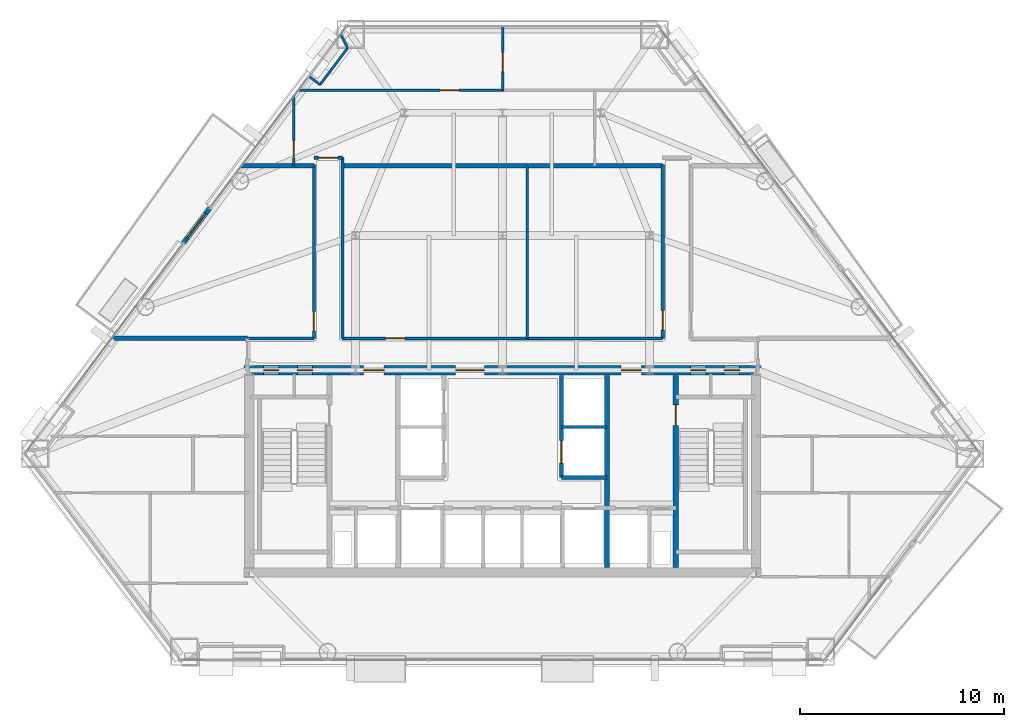
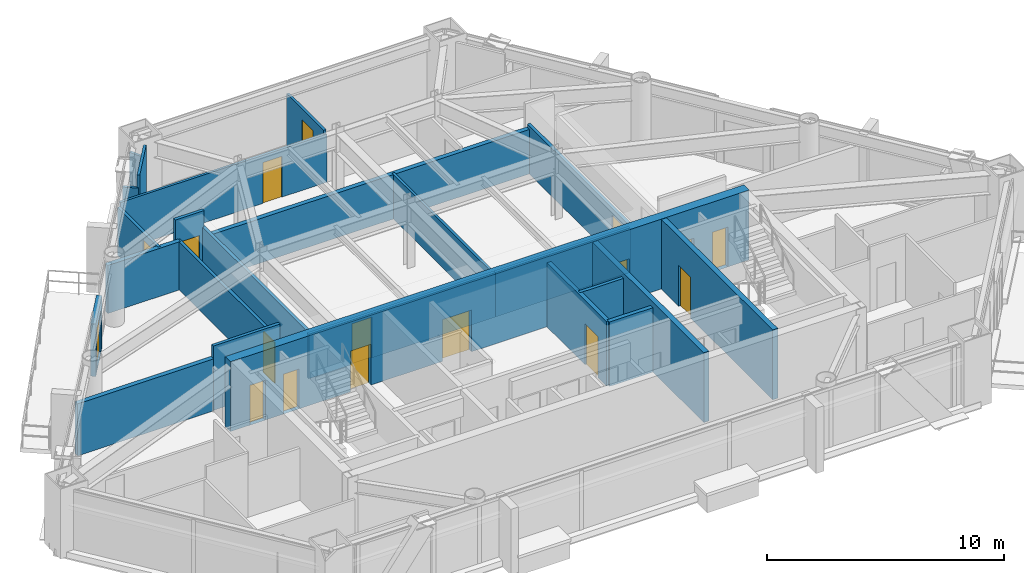
# One storey, part 10 of 14: 24 walls, 17 doors, 17 openings.
"""IFC4 building model written with IfcOpenShell, lengths in metres."""

import ifcopenshell
import ifcopenshell.guid

model = None  # the IFC model being written
_history = None  # IfcOwnerHistory: only IFC2X3 demands one
_inside = {}  # id of a spatial element -> (the spatial element, [elements in it])
_under = {}  # id of a project, library or spatial element -> (it, [spatial elements below it])
_declared = {}  # id of a project -> (the project, [libraries it declares])
_typed = {}  # id of a type object -> (the type object, [elements of that type])
_made_of = {}  # id of a material, layer set ... -> (it, [elements and type objects made of it])


def new_model(schema):
    """Start an empty IFC model of exactly this schema.

    Asked for "IFC4X3", IfcOpenShell would pick the latest addendum, in which some entities
    have other attributes; the version numbers below select the first issue.
    IFC2X3 requires an IfcOwnerHistory on every rooted entity: one is made here for all.
    """
    global model, _history
    if schema == "IFC4X3":
        model = ifcopenshell.file(schema_version=(4, 3, 0, 0))
    else:
        model = ifcopenshell.file(schema=schema)
    _inside.clear()
    _under.clear()
    _declared.clear()
    _typed.clear()
    _made_of.clear()
    _history = None
    if model.schema == "IFC2X3":
        org = make("IfcOrganization", Name="unknown")
        user = make(
            "IfcPersonAndOrganization",
            ThePerson=make("IfcPerson", FamilyName="unknown"),
            TheOrganization=org,
        )
        app = make(
            "IfcApplication",
            ApplicationDeveloper=org,
            Version="unknown",
            ApplicationFullName="unknown",
            ApplicationIdentifier="unknown",
        )
        _history = make(
            "IfcOwnerHistory",
            OwningUser=user,
            OwningApplication=app,
            ChangeAction="ADDED",
            CreationDate=0,
        )
    return model


def make(cls, **values):
    """One entity of the class cls with the attributes given. An attribute that is None is left unset."""
    return model.create_entity(
        cls, **{name: value for name, value in values.items() if value is not None}
    )


def rooted(cls, **values):
    """An entity with a GlobalId (a new one), such as an element, a storey or a relation."""
    return make(cls, GlobalId=ifcopenshell.guid.new(), OwnerHistory=_history, **values)


def si_unit(unit_type, name, prefix=None):
    """IfcSIUnit, for example si_unit("LENGTHUNIT", "METRE", prefix="MILLI")."""
    return make("IfcSIUnit", UnitType=unit_type, Prefix=prefix, Name=name)


def assignment(units):
    """IfcUnitAssignment: the units of a project."""
    return None if units is None else make("IfcUnitAssignment", Units=units)


def point(xyz):
    """IfcCartesianPoint."""
    return None if xyz is None else make("IfcCartesianPoint", Coordinates=xyz)


def direction(xyz):
    """IfcDirection."""
    return None if xyz is None else make("IfcDirection", DirectionRatios=xyz)


def frame(location, z_axis=None, x_axis=None):
    """IfcAxis2Placement3D, a coordinate frame: its origin and axes. An axis left out is left unset."""
    return make(
        "IfcAxis2Placement3D",
        Location=point(location),
        Axis=direction(z_axis),
        RefDirection=direction(x_axis),
    )


def frame_2d(location, x_axis=None):
    """IfcAxis2Placement2D, a coordinate frame in the plane: its origin and x axis."""
    return make(
        "IfcAxis2Placement2D", Location=point(location), RefDirection=direction(x_axis)
    )


def origin():
    """The frame at (0, 0, 0) with its axes left unset."""
    return frame((0.0, 0.0, 0.0))


def place(relative_to, where):
    """IfcLocalPlacement: puts the frame where relative to a parent placement (None: the world)."""
    return make(
        "IfcLocalPlacement", PlacementRelTo=relative_to, RelativePlacement=where
    )


def context(
    kind, dimensions, precision=None, world=None, true_north=None, identifier=None
):
    """IfcGeometricRepresentationContext, for example the 3D "Model" context."""
    return make(
        "IfcGeometricRepresentationContext",
        ContextIdentifier=identifier,
        ContextType=kind,
        CoordinateSpaceDimension=dimensions,
        Precision=precision,
        WorldCoordinateSystem=world,
        TrueNorth=true_north,
    )


def subcontext(parent, identifier, kind, view, scale=None):
    """IfcGeometricRepresentationSubContext, for example "Body" below "Model"."""
    return make(
        "IfcGeometricRepresentationSubContext",
        ContextIdentifier=identifier,
        ContextType=kind,
        ParentContext=parent,
        TargetScale=scale,
        TargetView=view,
    )


def project(units=None, contexts=None):
    """IfcProject with its units and contexts."""
    return rooted(
        "IfcProject",
        Name="project",
        RepresentationContexts=contexts,
        UnitsInContext=assignment(units),
    )


def spatial(cls, under=None, at=None, **own):
    """A site, building, storey or space (cls), placed at a placement, below another one or the project."""
    s = rooted(cls, ObjectPlacement=at, **own)
    if under is not None:
        _under.setdefault(under.id(), (under, []))[1].append(s)
    return s


def profile(cls, at=None, kind="AREA", **sizes):
    """A parametric profile (cls). Its sizes go by their IFC names, for example OverallWidth=200.0."""
    return make(cls, ProfileType=kind, Position=at, **sizes)


def rectangle(**sizes):
    """IfcRectangleProfileDef."""
    return profile("IfcRectangleProfileDef", **sizes)


def extrude(swept, where, along, depth):
    """IfcExtrudedAreaSolid: the profile swept, set in the frame where, extruded along a direction by depth."""
    return make(
        "IfcExtrudedAreaSolid",
        SweptArea=swept,
        Position=where,
        ExtrudedDirection=direction(along),
        Depth=depth,
    )


def shape(context_of_items, identifier, shape_type, items):
    """IfcShapeRepresentation: the items that make up one representation, for example the "Body"."""
    return make(
        "IfcShapeRepresentation",
        ContextOfItems=context_of_items,
        RepresentationIdentifier=identifier,
        RepresentationType=shape_type,
        Items=items,
    )


def material(Name=None, Category=None):
    """IfcMaterial."""
    return make("IfcMaterial", Name=Name, Category=Category)


def layer(
    of_material, thickness, ventilated=None, Name=None, Category=None, Priority=None
):
    """IfcMaterialLayer: one layer of a wall or slab, of a material (None: an air gap)."""
    return make(
        "IfcMaterialLayer",
        Material=of_material,
        LayerThickness=thickness,
        IsVentilated=ventilated,
        Name=Name,
        Category=Category,
        Priority=Priority,
    )


def layer_set(layers, Name=None):
    """IfcMaterialLayerSet."""
    return make("IfcMaterialLayerSet", MaterialLayers=layers, LayerSetName=Name)


def made_of(thing, what):
    """Note that an element or type object is made of a material, layer set ...; save() writes the relation."""
    if what is not None:
        _made_of.setdefault(what.id(), (what, []))[1].append(thing)
    return thing


def type_object(cls, material=None, **own):
    """A type object (cls), such as IfcWallType, which elements share."""
    return made_of(rooted(cls, **own), material)


def element(
    cls,
    number,
    at=None,
    inside=None,
    cuts=None,
    type_object=None,
    material=None,
    context=None,
    identifier="Body",
    shape_type=None,
    held_by="IfcProductDefinitionShape",
    body=None,
    shapes=None,
    **own,
):
    """One element of the class cls, such as IfcWall. Its Tag is "e" and its number.

    at: its placement. inside: the storey or other place that contains it. cuts: it is an
    opening in that element (IfcRelVoidsElement). A single representation is given by context,
    identifier, shape_type and body (its items); several are given by shapes. held_by: the class
    of the entity that holds the representations. save() writes the other relations.
    """
    e = rooted(cls, Tag="e%d" % number, ObjectPlacement=at, **own)
    if body is not None:
        shapes = [shape(context, identifier, shape_type, body)]
    if shapes is not None:
        e.Representation = make(held_by, Representations=shapes)
    if inside is not None:
        _inside.setdefault(inside.id(), (inside, []))[1].append(e)
    if cuts is not None:
        rooted(
            "IfcRelVoidsElement", RelatingBuildingElement=cuts, RelatedOpeningElement=e
        )
    if type_object is not None:
        _typed.setdefault(type_object.id(), (type_object, []))[1].append(e)
    return made_of(e, material)


def fill(opening, filler):
    """IfcRelFillsElement: the door or window that sits in an opening."""
    return rooted(
        "IfcRelFillsElement",
        RelatingOpeningElement=opening,
        RelatedBuildingElement=filler,
    )


def aggregate(whole, parts):
    """IfcRelAggregates: a whole, such as a stair, and the parts it consists of."""
    return rooted("IfcRelAggregates", RelatingObject=whole, RelatedObjects=parts)


def save(model, path):
    """Write the relations noted so far, then the file.

    IfcRelAggregates (storeys below a building ...), IfcRelContainedInSpatialStructure (elements
    in a storey), IfcRelDefinesByType, IfcRelAssociatesMaterial and IfcRelDeclares: one each for
    every whole, place, type object, material and project.
    """
    for whole, parts in _under.values():
        aggregate(whole, parts)
    for where, things in _inside.values():
        rooted(
            "IfcRelContainedInSpatialStructure",
            RelatedElements=things,
            RelatingStructure=where,
        )
    for kind, things in _typed.values():
        rooted("IfcRelDefinesByType", RelatedObjects=things, RelatingType=kind)
    for what, things in _made_of.values():
        rooted("IfcRelAssociatesMaterial", RelatedObjects=things, RelatingMaterial=what)
    for by, libraries in _declared.values():
        rooted("IfcRelDeclares", RelatingContext=by, RelatedDefinitions=libraries)
    model.write(path)


model = new_model("IFC4")

# Units and contexts
model_context = context("Model", 3, precision=1e-05, world=origin(), true_north=direction((0.0, 1.0)))
body_context = subcontext(model_context, "Body", "Model", "MODEL_VIEW")
ifc_project = project(units=[si_unit("LENGTHUNIT", "METRE"), si_unit("AREAUNIT", "SQUARE_METRE"), si_unit("VOLUMEUNIT", "CUBIC_METRE"), si_unit("PLANEANGLEUNIT", "RADIAN"), si_unit("MASSUNIT", "GRAM", prefix="KILO")], contexts=[model_context])

# Site, building, storey
site_placement = place(None, origin())
site = spatial("IfcSite", under=ifc_project, at=site_placement, CompositionType="ELEMENT")
building_placement = place(site_placement, origin())
building = spatial("IfcBuilding", under=site, at=building_placement, Name="Talgorran Terracotta Tower", CompositionType="ELEMENT")
storey_placement = place(building_placement, frame((0.0, 0.0, 56.699951171875)))
storey = spatial("IfcBuildingStorey", under=building, at=storey_placement, Name="L14", CompositionType="ELEMENT", Elevation=56.699951171875)

# Wall, opening, door
ifc_material_1 = material(Name="Concrete C40/50", Category="concrete")
ifc_layer_1 = layer(ifc_material_1, 0.239990234375, Name="WT_BALCONY_SPAND")
ifc_layer_set_1 = layer_set([ifc_layer_1], Name="Concrete C40/50")
wall_type_1 = type_object("IfcWallType", Name="WT_BALCONY_SPAND", PredefinedType="STANDARD", material=ifc_layer_set_1)
wall_1_placement = place(storey_placement, frame((-14.339111328125, 3.73095703125, -0.014892578125), z_axis=(0.0, 0.0, 1.0), x_axis=(-0.601441023505, -0.798917201746, 0.0)))
wall_1 = element("IfcWall", 1, at=wall_1_placement, inside=storey, type_object=wall_type_1, Name="WL-L14-BALP-BAL-NW", PredefinedType="STANDARD", context=body_context, shape_type="SweptSolid", body=[
    extrude(rectangle(XDim=2.14013671875, YDim=0.239990234375, at=frame_2d((1.070068359375, 0.0))), origin(), (0.0, 0.0, 1.0), 2.6982421875),
])
opening_1_placement = place(wall_1_placement, frame((0.320068359375, 0.0, 0.014892578125)))
opening_1 = element("IfcOpeningElement", 2, at=opening_1_placement, cuts=wall_1, Name="Opening D-BAL-L14-2", PredefinedType="OPENING", context=body_context, shape_type="SweptSolid", body=[
    extrude(rectangle(XDim=1.506, YDim=2.203951171875, at=frame_2d((0.75, 1.10205078125))), frame((0.0, 0.1298828125, 0.0), z_axis=(0.0, -1.0, 0.0), x_axis=(1.0, 0.0, 0.0)), (0.0, 0.0, 1.0), 0.260009765625),
])
ifc_material_2 = material(Name="Thermally Broken Aluminium", Category="aluminium")
door_type_1 = type_object("IfcDoorType", Name="DT_BALC_1500", OperationType="SLIDING_TO_RIGHT", PredefinedType="DOOR", material=ifc_material_2)
door_1_placement = place(opening_1_placement, origin())
door_1 = element("IfcDoor", 3, at=door_1_placement, inside=storey, type_object=door_type_1, Name="DR-L14-BAL-BAL-NW", OperationType="SLIDING_TO_RIGHT", OverallHeight=2.199951171875, OverallWidth=1.5, PredefinedType="DOOR", context=body_context, shape_type="SweptSolid", body=[
    extrude(rectangle(XDim=1.5, YDim=2.199951171875, at=frame_2d((0.75, 1.10009765625))), frame((0.0, 0.02490234375, 0.0), z_axis=(0.0, -1.0, 0.0), x_axis=(1.0, 0.0, 0.0)), (0.0, 0.0, 1.0), 0.050048828125),
])
fill(opening_1, door_1)

ifc_material_3 = material(Name="Concrete C50/60", Category="concrete")
ifc_layer_2 = layer(ifc_material_3, 0.199951171875, Name="WT_CORE_200")
ifc_layer_set_2 = layer_set([ifc_layer_2], Name="Concrete C50/60")
wall_type_2 = type_object("IfcWallType", Name="WT_CORE_200", PredefinedType="SOLIDWALL", material=ifc_layer_set_2)
wall_2_placement = place(storey_placement, frame((2.8798828125, -9.449951171875, 0.0), z_axis=(0.0, 0.0, 1.0), x_axis=(0.0, 1.0, 0.0)))
wall_2 = element("IfcWall", 4, at=wall_2_placement, inside=storey, type_object=wall_type_2, Name="WL-L14-CW-V-E3", PredefinedType="SOLIDWALL", context=body_context, shape_type="SweptSolid", body=[
    extrude(rectangle(XDim=5.0, YDim=0.199951171875, at=frame_2d((2.5, 0.0))), origin(), (0.0, 0.0, 1.0), 3.320068359375),
])
opening_2_placement = place(wall_2_placement, frame((0.699951171875, 0.0, 0.0)))
opening_2 = element("IfcOpeningElement", 5, at=opening_2_placement, cuts=wall_2, Name="Opening LD-PLM1", PredefinedType="OPENING", context=body_context, shape_type="SweptSolid", body=[
    extrude(rectangle(XDim=1.10609765625, YDim=2.10409765625, at=frame_2d((0.550048828125, 1.052001953125))), frame((0.0, 0.10986328125, 0.0), z_axis=(0.0, -1.0, 0.0), x_axis=(1.0, 0.0, 0.0)), (0.0, 0.0, 1.0), 0.219970703125),
])
ifc_material_4 = material(Name="Brushed Stainless Steel Grade 304", Category="steel")
door_type_2 = type_object("IfcDoorType", Name="DT_LIFT_LD1100", OperationType="DOUBLE_DOOR_SLIDING", PredefinedType="DOOR", material=ifc_material_4)
door_2_placement = place(opening_2_placement, origin())
door_2 = element("IfcDoor", 6, at=door_2_placement, inside=storey, type_object=door_type_2, Name="L14 Lift Landing Door LD-PLM1", OperationType="DOUBLE_DOOR_SLIDING", OverallHeight=2.10009765625, OverallWidth=1.10009765625, PredefinedType="DOOR", context=body_context, shape_type="SweptSolid", body=[
    extrude(rectangle(XDim=1.10009765625, YDim=2.10009765625, at=frame_2d((0.550048828125, 1.050048828125))), frame((0.0, 0.02490234375, 0.0), z_axis=(0.0, -1.0, 0.0), x_axis=(1.0, 0.0, 0.0)), (0.0, 0.0, 1.0), 0.050048828125),
])
fill(opening_2, door_2)

# Wall
wall_3_placement = place(storey_placement, frame((2.8798828125, -9.449951171875, 0.0), z_axis=(0.0, 0.0, 1.0), x_axis=(1.0, 0.0, 0.0)))
element("IfcWall", 7, at=wall_3_placement, inside=storey, type_object=wall_type_2, Name="WL-L14-CW-H-E4", PredefinedType="SOLIDWALL", context=body_context, shape_type="SweptSolid", body=[
    extrude(rectangle(XDim=2.240234375, YDim=0.199951171875, at=frame_2d((1.1201171875, 0.0))), origin(), (0.0, 0.0, 1.0), 3.320068359375),
])

# Wall, opening, door
ifc_layer_3 = layer(ifc_material_3, 0.25, Name="WT_CORE_250")
ifc_layer_set_3 = layer_set([ifc_layer_3], Name="Concrete C50/60")
wall_type_3 = type_object("IfcWallType", Name="WT_CORE_250", PredefinedType="SHEAR", material=ifc_layer_set_3)
wall_4_placement = place(storey_placement, frame((8.47998046875, -13.85009765625, 0.0), z_axis=(0.0, 0.0, 1.0), x_axis=(0.0, 1.0, 0.0)))
wall_4 = element("IfcWall", 8, at=wall_4_placement, inside=storey, type_object=wall_type_3, Name="WL-L14-CW-V-E1", PredefinedType="SHEAR", context=body_context, shape_type="SweptSolid", body=[
    extrude(rectangle(XDim=9.400146484375, YDim=0.25, at=frame_2d((4.7001953125, 0.0))), origin(), (0.0, 0.0, 1.0), 3.60009765625),
])
opening_3_placement = place(wall_4_placement, frame((6.949951171875, 0.0, 0.0)))
opening_3 = element("IfcOpeningElement", 9, at=opening_3_placement, cuts=wall_4, Name="Opening DR-ST02", PredefinedType="OPENING", context=body_context, shape_type="SweptSolid", body=[
    extrude(rectangle(XDim=1.006, YDim=2.10409765625, at=frame_2d((0.5, 1.052001953125))), frame((0.0, 0.135009765625, 0.0), z_axis=(0.0, -1.0, 0.0), x_axis=(1.0, 0.0, 0.0)), (0.0, 0.0, 1.0), 0.27001953125),
])
ifc_material_5 = material(Name="Fire-Rated Pressed Steel", Category="steel")
door_type_3 = type_object("IfcDoorType", Name="DT_FIRE_1000", OperationType="NOTDEFINED", PredefinedType="DOOR", material=ifc_material_5)
door_3_placement = place(opening_3_placement, origin())
door_3 = element("IfcDoor", 10, at=door_3_placement, inside=storey, type_object=door_type_3, Name="DR-ST02", OperationType="SINGLE_SWING_RIGHT", OverallHeight=2.10009765625, OverallWidth=1.0, PredefinedType="DOOR", context=body_context, shape_type="SweptSolid", body=[
    extrude(rectangle(XDim=1.0, YDim=2.10009765625, at=frame_2d((0.5, 1.050048828125))), frame((0.0, 0.02490234375, 0.0), z_axis=(0.0, -1.0, 0.0), x_axis=(1.0, 0.0, 0.0)), (0.0, 0.0, 1.0), 0.050048828125),
])
fill(opening_3, door_3)

# Wall
wall_5_placement = place(storey_placement, frame((5.1201171875, -13.85009765625, 0.0), z_axis=(0.0, 0.0, 1.0), x_axis=(0.0, 1.0, 0.0)))
element("IfcWall", 11, at=wall_5_placement, inside=storey, type_object=wall_type_3, Name="WL-L14-CW-V-E2", PredefinedType="SHEAR", context=body_context, shape_type="SweptSolid", body=[
    extrude(rectangle(XDim=9.400146484375, YDim=0.25, at=frame_2d((4.7001953125, 0.0))), origin(), (0.0, 0.0, 1.0), 3.60009765625),
])

# Wall, openings, doors
ifc_material_6 = material(Name="Concrete C65/80", Category="concrete")
ifc_layer_4 = layer(ifc_material_6, 0.449951171875, Name="WT_CORE_EXT")
ifc_layer_set_4 = layer_set([ifc_layer_4], Name="Concrete C65/80")
wall_type_4 = type_object("IfcWallType", Name="WT_CORE_EXT", PredefinedType="SHEAR", material=ifc_layer_set_4)
wall_6_placement = place(storey_placement, frame((-12.64990234375, -4.199951171875, 0.0), z_axis=(0.0, 0.0, 1.0), x_axis=(1.0, 0.0, 0.0)))
wall_6 = element("IfcWall", 12, at=wall_6_placement, inside=storey, type_object=wall_type_4, Name="WL-L14-CW-OUT-N", PredefinedType="SHEAR", context=body_context, shape_type="SweptSolid", body=[
    extrude(rectangle(XDim=25.2998046875, YDim=0.449951171875, at=frame_2d((12.64990234375, 0.0))), origin(), (0.0, 0.0, 1.0), 3.60009765625),
])
opening_4_placement = place(wall_6_placement, frame((0.949951171875, 0.0, 0.0)))
opening_4 = element("IfcOpeningElement", 13, at=opening_4_placement, cuts=wall_6, Name="Opening DR-CSN1", PredefinedType="OPENING", context=body_context, shape_type="SweptSolid", body=[
    extrude(rectangle(XDim=0.756, YDim=2.054048828125, at=frame_2d((0.375, 1.027099609375))), frame((0.0, 0.23486328125, 0.0), z_axis=(0.0, -1.0, 0.0), x_axis=(1.0, 0.0, 0.0)), (0.0, 0.0, 1.0), 0.469970703125),
])
opening_5_placement = place(wall_6_placement, frame((2.60009765625, 0.0, 0.0)))
opening_5 = element("IfcOpeningElement", 14, at=opening_5_placement, cuts=wall_6, Name="Opening DR-CSN2", PredefinedType="OPENING", context=body_context, shape_type="SweptSolid", body=[
    extrude(rectangle(XDim=0.756, YDim=2.054048828125, at=frame_2d((0.375, 1.027099609375))), frame((0.0, 0.23486328125, 0.0), z_axis=(0.0, -1.0, 0.0), x_axis=(1.0, 0.0, 0.0)), (0.0, 0.0, 1.0), 0.469970703125),
])
opening_6_placement = place(wall_6_placement, frame((21.85009765625, 0.0, 0.0)))
opening_6 = element("IfcOpeningElement", 15, at=opening_6_placement, cuts=wall_6, Name="Opening DR-CSN3", PredefinedType="OPENING", context=body_context, shape_type="SweptSolid", body=[
    extrude(rectangle(XDim=0.756, YDim=2.054048828125, at=frame_2d((0.375, 1.027099609375))), frame((0.0, 0.23486328125, 0.0), z_axis=(0.0, -1.0, 0.0), x_axis=(1.0, 0.0, 0.0)), (0.0, 0.0, 1.0), 0.469970703125),
])
opening_7_placement = place(wall_6_placement, frame((23.5, 0.0, 0.0)))
opening_7 = element("IfcOpeningElement", 16, at=opening_7_placement, cuts=wall_6, Name="Opening DR-CSN4", PredefinedType="OPENING", context=body_context, shape_type="SweptSolid", body=[
    extrude(rectangle(XDim=0.756, YDim=2.054048828125, at=frame_2d((0.375, 1.027099609375))), frame((0.0, 0.23486328125, 0.0), z_axis=(0.0, -1.0, 0.0), x_axis=(1.0, 0.0, 0.0)), (0.0, 0.0, 1.0), 0.469970703125),
])
opening_8_placement = place(wall_6_placement, frame((5.85009765625, 0.0, 0.0)))
opening_8 = element("IfcOpeningElement", 17, at=opening_8_placement, cuts=wall_6, Name="Opening DR-FFLW-N", PredefinedType="OPENING", context=body_context, shape_type="SweptSolid", body=[
    extrude(rectangle(XDim=1.006, YDim=2.10409765625, at=frame_2d((0.5, 1.052001953125))), frame((0.0, 0.23486328125, 0.0), z_axis=(0.0, -1.0, 0.0), x_axis=(1.0, 0.0, 0.0)), (0.0, 0.0, 1.0), 0.469970703125),
])
opening_9_placement = place(wall_6_placement, frame((10.35009765625, 0.0, 0.0)))
opening_9 = element("IfcOpeningElement", 18, at=opening_9_placement, cuts=wall_6, Name="Opening DR-PLL-N", PredefinedType="OPENING", context=body_context, shape_type="SweptSolid", body=[
    extrude(rectangle(XDim=1.40590234375, YDim=2.15390234375, at=frame_2d((0.699951171875, 1.076904296875))), frame((0.0, 0.23486328125, 0.0), z_axis=(0.0, -1.0, 0.0), x_axis=(1.0, 0.0, 0.0)), (0.0, 0.0, 1.0), 0.469970703125),
])
opening_10_placement = place(wall_6_placement, frame((18.449951171875, 0.0, 0.0)))
opening_10 = element("IfcOpeningElement", 19, at=opening_10_placement, cuts=wall_6, Name="Opening DR-FFLE-N", PredefinedType="OPENING", context=body_context, shape_type="SweptSolid", body=[
    extrude(rectangle(XDim=1.006, YDim=2.10409765625, at=frame_2d((0.5, 1.052001953125))), frame((0.0, 0.23486328125, 0.0), z_axis=(0.0, -1.0, 0.0), x_axis=(1.0, 0.0, 0.0)), (0.0, 0.0, 1.0), 0.469970703125),
])
ifc_material_7 = material(Name="Acoustic Glazed Timber", Category="wood")
door_type_4 = type_object("IfcDoorType", Name="DT_DOUBLE_1400", OperationType="DOUBLE_DOOR_SINGLE_SWING", PredefinedType="DOOR", material=ifc_material_7)
door_4_placement = place(opening_9_placement, origin())
door_4 = element("IfcDoor", 20, at=door_4_placement, inside=storey, type_object=door_type_4, Name="DR-PLL-N", OperationType="DOUBLE_DOOR_SINGLE_SWING", OverallHeight=2.14990234375, OverallWidth=1.39990234375, PredefinedType="DOOR", context=body_context, shape_type="SweptSolid", body=[
    extrude(rectangle(XDim=1.39990234375, YDim=2.14990234375, at=frame_2d((0.699951171875, 1.074951171875))), frame((0.0, 0.02490234375, 0.0), z_axis=(0.0, -1.0, 0.0), x_axis=(1.0, 0.0, 0.0)), (0.0, 0.0, 1.0), 0.050048828125),
])
fill(opening_9, door_4)
door_5_placement = place(opening_8_placement, origin())
door_5 = element("IfcDoor", 21, at=door_5_placement, inside=storey, type_object=door_type_3, Name="DR-FFLW-N", OperationType="SINGLE_SWING_LEFT", OverallHeight=2.10009765625, OverallWidth=1.0, PredefinedType="DOOR", context=body_context, shape_type="SweptSolid", body=[
    extrude(rectangle(XDim=1.0, YDim=2.10009765625, at=frame_2d((0.5, 1.050048828125))), frame((0.0, 0.02490234375, 0.0), z_axis=(0.0, -1.0, 0.0), x_axis=(1.0, 0.0, 0.0)), (0.0, 0.0, 1.0), 0.050048828125),
])
fill(opening_8, door_5)
door_6_placement = place(opening_10_placement, origin())
door_6 = element("IfcDoor", 22, at=door_6_placement, inside=storey, type_object=door_type_3, Name="DR-FFLE-N", OperationType="SINGLE_SWING_RIGHT", OverallHeight=2.10009765625, OverallWidth=1.0, PredefinedType="DOOR", context=body_context, shape_type="SweptSolid", body=[
    extrude(rectangle(XDim=1.0, YDim=2.10009765625, at=frame_2d((0.5, 1.050048828125))), frame((0.0, 0.02490234375, 0.0), z_axis=(0.0, -1.0, 0.0), x_axis=(1.0, 0.0, 0.0)), (0.0, 0.0, 1.0), 0.050048828125),
])
fill(opening_10, door_6)
door_type_5 = type_object("IfcDoorType", Name="DT_RISER_750", OperationType="NOTDEFINED", PredefinedType="DOOR", material=ifc_material_5)
door_7_placement = place(opening_4_placement, origin())
door_7 = element("IfcDoor", 23, at=door_7_placement, inside=storey, type_object=door_type_5, Name="DR-CSN1", OperationType="SINGLE_SWING_LEFT", OverallHeight=2.050048828125, OverallWidth=0.75, PredefinedType="DOOR", context=body_context, shape_type="SweptSolid", body=[
    extrude(rectangle(XDim=0.75, YDim=2.050048828125, at=frame_2d((0.375, 1.02490234375))), frame((0.0, 0.02490234375, 0.0), z_axis=(0.0, -1.0, 0.0), x_axis=(1.0, 0.0, 0.0)), (0.0, 0.0, 1.0), 0.050048828125),
])
fill(opening_4, door_7)
door_8_placement = place(opening_5_placement, origin())
door_8 = element("IfcDoor", 24, at=door_8_placement, inside=storey, type_object=door_type_5, Name="DR-CSN2", OperationType="SINGLE_SWING_RIGHT", OverallHeight=2.050048828125, OverallWidth=0.75, PredefinedType="DOOR", context=body_context, shape_type="SweptSolid", body=[
    extrude(rectangle(XDim=0.75, YDim=2.050048828125, at=frame_2d((0.375, 1.02490234375))), frame((0.0, 0.02490234375, 0.0), z_axis=(0.0, -1.0, 0.0), x_axis=(1.0, 0.0, 0.0)), (0.0, 0.0, 1.0), 0.050048828125),
])
fill(opening_5, door_8)
door_9_placement = place(opening_6_placement, origin())
door_9 = element("IfcDoor", 25, at=door_9_placement, inside=storey, type_object=door_type_5, Name="DR-CSN3", OperationType="SINGLE_SWING_LEFT", OverallHeight=2.050048828125, OverallWidth=0.75, PredefinedType="DOOR", context=body_context, shape_type="SweptSolid", body=[
    extrude(rectangle(XDim=0.75, YDim=2.050048828125, at=frame_2d((0.375, 1.02490234375))), frame((0.0, 0.02490234375, 0.0), z_axis=(0.0, -1.0, 0.0), x_axis=(1.0, 0.0, 0.0)), (0.0, 0.0, 1.0), 0.050048828125),
])
fill(opening_6, door_9)
door_10_placement = place(opening_7_placement, origin())
door_10 = element("IfcDoor", 26, at=door_10_placement, inside=storey, type_object=door_type_5, Name="DR-CSN4", OperationType="SINGLE_SWING_RIGHT", OverallHeight=2.050048828125, OverallWidth=0.75, PredefinedType="DOOR", context=body_context, shape_type="SweptSolid", body=[
    extrude(rectangle(XDim=0.75, YDim=2.050048828125, at=frame_2d((0.375, 1.02490234375))), frame((0.0, 0.02490234375, 0.0), z_axis=(0.0, -1.0, 0.0), x_axis=(1.0, 0.0, 0.0)), (0.0, 0.0, 1.0), 0.050048828125),
])
fill(opening_7, door_10)

# Wall, opening, door
ifc_material_8 = material(Name="Fire-Rated Steel Stud Plasterboard", Category="steel")
ifc_layer_5 = layer(ifc_material_8, 0.14990234375, Name="WT_FIRE_150")
ifc_layer_set_5 = layer_set([ifc_layer_5], Name="Fire-Rated Steel Stud Plasterboard")
wall_type_5 = type_object("IfcWallType", Name="WT_FIRE_150", PredefinedType="PARTITIONING", material=ifc_layer_set_5)
wall_7_placement = place(storey_placement, frame((-7.840087890625, -2.639892578125, 0.0), z_axis=(0.0, 0.0, 1.0), x_axis=(1.0, 0.0, 0.0)))
wall_7 = element("IfcWall", 27, at=wall_7_placement, inside=storey, type_object=wall_type_5, Name="WL-L14-W-L14-R06", PredefinedType="PARTITIONING", context=body_context, shape_type="SweptSolid", body=[
    extrude(rectangle(XDim=9.10009765625, YDim=0.14990234375, at=frame_2d((4.550048828125, 0.0))), origin(), (0.0, 0.0, 1.0), 2.295166015625),
])
opening_11_placement = place(wall_7_placement, frame((2.117431640625, 0.0, 0.0)))
opening_11 = element("IfcOpeningElement", 28, at=opening_11_placement, cuts=wall_7, Name="Opening DR-L14-R13", PredefinedType="OPENING", context=body_context, shape_type="SweptSolid", body=[
    extrude(rectangle(XDim=0.955951171875, YDim=2.10409765625, at=frame_2d((0.47509765625, 1.052001953125))), frame((0.0, 0.0849609375, 0.0), z_axis=(0.0, -1.0, 0.0), x_axis=(1.0, 0.0, 0.0)), (0.0, 0.0, 1.0), 0.169921875),
])
ifc_material_9 = material(Name="Fire-Rated Timber Core", Category="wood")
door_type_6 = type_object("IfcDoorType", Name="DT_FIRE_950", OperationType="NOTDEFINED", PredefinedType="DOOR", material=ifc_material_9)
door_11_placement = place(opening_11_placement, origin())
door_11 = element("IfcDoor", 29, at=door_11_placement, inside=storey, type_object=door_type_6, Name="DR-L14-R13", OperationType="SINGLE_SWING_LEFT", OverallHeight=2.10009765625, OverallWidth=0.949951171875, PredefinedType="DOOR", context=body_context, shape_type="SweptSolid", body=[
    extrude(rectangle(XDim=0.949951171875, YDim=2.10009765625, at=frame_2d((0.47509765625, 1.050048828125))), frame((0.0, 0.02490234375, 0.0), z_axis=(0.0, -1.0, 0.0), x_axis=(1.0, 0.0, 0.0)), (0.0, 0.0, 1.0), 0.050048828125),
])
fill(opening_11, door_11)

wall_8_placement = place(storey_placement, frame((-9.239990234375, -2.639892578125, 0.0), z_axis=(0.0, 0.0, 1.0), x_axis=(0.0, 1.0, 0.0)))
wall_8 = element("IfcWall", 30, at=wall_8_placement, inside=storey, type_object=wall_type_5, Name="WL-L14-W-L14-R04", PredefinedType="PARTITIONING", context=body_context, shape_type="SweptSolid", body=[
    extrude(rectangle(XDim=8.5, YDim=0.14990234375, at=frame_2d((4.25, 0.0))), origin(), (0.0, 0.0, 1.0), 2.47900390625),
])
opening_12_placement = place(wall_8_placement, frame((0.359619140625, 0.0, 0.0)))
opening_12 = element("IfcOpeningElement", 31, at=opening_12_placement, cuts=wall_8, Name="Opening DR-L14-R12", PredefinedType="OPENING", context=body_context, shape_type="SweptSolid", body=[
    extrude(rectangle(XDim=0.955951171875, YDim=2.10409765625, at=frame_2d((0.47509765625, 1.052001953125))), frame((0.0, 0.0849609375, 0.0), z_axis=(0.0, -1.0, 0.0), x_axis=(1.0, 0.0, 0.0)), (0.0, 0.0, 1.0), 0.169921875),
])
door_12_placement = place(opening_12_placement, origin())
door_12 = element("IfcDoor", 32, at=door_12_placement, inside=storey, type_object=door_type_6, Name="DR-L14-R12", OperationType="SINGLE_SWING_RIGHT", OverallHeight=2.10009765625, OverallWidth=0.949951171875, PredefinedType="DOOR", context=body_context, shape_type="SweptSolid", body=[
    extrude(rectangle(XDim=0.949951171875, YDim=2.10009765625, at=frame_2d((0.47509765625, 1.050048828125))), frame((0.0, 0.02490234375, 0.0), z_axis=(0.0, -1.0, 0.0), x_axis=(1.0, 0.0, 0.0)), (0.0, 0.0, 1.0), 0.050048828125),
])
fill(opening_12, door_12)

# Wall
wall_9_placement = place(storey_placement, frame((-7.840087890625, -2.639892578125, 0.0), z_axis=(0.0, 0.0, 1.0), x_axis=(0.0, 1.0, 0.0)))
element("IfcWall", 33, at=wall_9_placement, inside=storey, type_object=wall_type_5, Name="WL-L14-W-L14-R05", PredefinedType="PARTITIONING", context=body_context, shape_type="SweptSolid", body=[
    extrude(rectangle(XDim=8.83984375, YDim=0.14990234375, at=frame_2d((4.419921875, 0.0))), origin(), (0.0, 0.0, 1.0), 2.47900390625),
])

# Wall, opening, door
wall_10_placement = place(storey_placement, frame((7.840087890625, -2.639892578125, 0.0), z_axis=(0.0, 0.0, 1.0), x_axis=(0.0, 1.0, 0.0)))
wall_10 = element("IfcWall", 34, at=wall_10_placement, inside=storey, type_object=wall_type_5, Name="WL-L14-W-L14-R08", PredefinedType="PARTITIONING", context=body_context, shape_type="SweptSolid", body=[
    extrude(rectangle(XDim=8.5, YDim=0.14990234375, at=frame_2d((4.25, 0.0))), origin(), (0.0, 0.0, 1.0), 2.47900390625),
])
opening_13_placement = place(wall_10_placement, frame((0.399658203125, 0.0, 0.0)))
opening_13 = element("IfcOpeningElement", 35, at=opening_13_placement, cuts=wall_10, Name="Opening DR-L14-R14", PredefinedType="OPENING", context=body_context, shape_type="SweptSolid", body=[
    extrude(rectangle(XDim=0.955951171875, YDim=2.10409765625, at=frame_2d((0.47509765625, 1.052001953125))), frame((0.0, 0.0849609375, 0.0), z_axis=(0.0, -1.0, 0.0), x_axis=(1.0, 0.0, 0.0)), (0.0, 0.0, 1.0), 0.169921875),
])
door_13_placement = place(opening_13_placement, origin())
door_13 = element("IfcDoor", 36, at=door_13_placement, inside=storey, type_object=door_type_6, Name="DR-L14-R14", OperationType="SINGLE_SWING_RIGHT", OverallHeight=2.10009765625, OverallWidth=0.949951171875, PredefinedType="DOOR", context=body_context, shape_type="SweptSolid", body=[
    extrude(rectangle(XDim=0.949951171875, YDim=2.10009765625, at=frame_2d((0.47509765625, 1.050048828125))), frame((0.0, 0.02490234375, 0.0), z_axis=(0.0, -1.0, 0.0), x_axis=(1.0, 0.0, 0.0)), (0.0, 0.0, 1.0), 0.050048828125),
])
fill(opening_13, door_13)

# Walls
wall_11_placement = place(storey_placement, frame((1.261962890625, -2.639892578125, 0.0), z_axis=(0.0, 0.0, 1.0), x_axis=(1.0, 0.0, 0.0)))
element("IfcWall", 37, at=wall_11_placement, inside=storey, type_object=wall_type_5, Name="WL-L14-W-L14-R07", PredefinedType="PARTITIONING", context=body_context, shape_type="SweptSolid", body=[
    extrude(rectangle(XDim=6.578125, YDim=0.14990234375, at=frame_2d((3.2890625, 0.0))), origin(), (0.0, 0.0, 1.0), 2.295166015625),
])
wall_12_placement = place(storey_placement, frame((-12.5, -2.639892578125, 0.0), z_axis=(0.0, 0.0, 1.0), x_axis=(1.0, 0.0, 0.0)))
element("IfcWall", 38, at=wall_12_placement, inside=storey, type_object=wall_type_5, Name="WL-L14-W-L14-R03", PredefinedType="PARTITIONING", context=body_context, shape_type="SweptSolid", body=[
    extrude(rectangle(XDim=3.260009765625, YDim=0.14990234375, at=frame_2d((1.6298828125, 0.0))), origin(), (0.0, 0.0, 1.0), 3.320068359375),
])

# Wall, opening, door
wall_13_placement = place(storey_placement, frame((-9.239990234375, 6.199951171875, 0.0), z_axis=(0.0, 0.0, 1.0), x_axis=(1.0, 0.0, 0.0)))
wall_13 = element("IfcWall", 39, at=wall_13_placement, inside=storey, type_object=wall_type_5, Name="WL-L14-W-L14-R12", PredefinedType="PARTITIONING", context=body_context, shape_type="SweptSolid", body=[
    extrude(rectangle(XDim=1.39990234375, YDim=0.14990234375, at=frame_2d((0.699951171875, 0.0))), origin(), (0.0, 0.0, 1.0), 3.320068359375),
])
opening_14_placement = place(wall_13_placement, frame((0.22509765625, 0.0, 0.0)))
opening_14 = element("IfcOpeningElement", 40, at=opening_14_placement, cuts=wall_13, Name="Opening DR-L14-R17", PredefinedType="OPENING", context=body_context, shape_type="SweptSolid", body=[
    extrude(rectangle(XDim=0.955951171875, YDim=2.10409765625, at=frame_2d((0.47509765625, 1.052001953125))), frame((0.0, 0.0849609375, 0.0), z_axis=(0.0, -1.0, 0.0), x_axis=(1.0, 0.0, 0.0)), (0.0, 0.0, 1.0), 0.169921875),
])
door_14_placement = place(opening_14_placement, origin())
door_14 = element("IfcDoor", 41, at=door_14_placement, inside=storey, type_object=door_type_6, Name="DR-L14-R17", OperationType="SINGLE_SWING_LEFT", OverallHeight=2.10009765625, OverallWidth=0.949951171875, PredefinedType="DOOR", context=body_context, shape_type="SweptSolid", body=[
    extrude(rectangle(XDim=0.949951171875, YDim=2.10009765625, at=frame_2d((0.47509765625, 1.050048828125))), frame((0.0, 0.02490234375, 0.0), z_axis=(0.0, -1.0, 0.0), x_axis=(1.0, 0.0, 0.0)), (0.0, 0.0, 1.0), 0.050048828125),
])
fill(opening_14, door_14)

# Walls
ifc_material_10 = material(Name="Acoustic Masonry and Plasterboard", Category="masonry")
ifc_layer_6 = layer(ifc_material_10, 0.219970703125, Name="WT_PARTY_220")
ifc_layer_set_6 = layer_set([ifc_layer_6], Name="Acoustic Masonry and Plasterboard")
wall_type_6 = type_object("IfcWallType", Name="WT_PARTY_220", PredefinedType="PARTITIONING", material=ifc_layer_set_6)
wall_14_placement = place(storey_placement, frame((-7.840087890625, 5.800048828125, 0.0), z_axis=(0.0, 0.0, 1.0), x_axis=(1.0, 0.0, 0.0)))
element("IfcWall", 42, at=wall_14_placement, inside=storey, type_object=wall_type_6, Name="WL-L14-W-L14-R41", PredefinedType="PARTITIONING", context=body_context, shape_type="SweptSolid", body=[
    extrude(rectangle(XDim=15.68017578125, YDim=0.219970703125, at=frame_2d((7.840087890625, 0.0))), origin(), (0.0, 0.0, 1.0), 2.295166015625),
])
wall_15_placement = place(storey_placement, frame((-19.13525390625, -2.639892578125, 0.0), z_axis=(0.0, 0.0, 1.0), x_axis=(1.0, 0.0, 0.0)))
element("IfcWall", 43, at=wall_15_placement, inside=storey, type_object=wall_type_6, Name="WL-L14-W-L14-R19", PredefinedType="PARTITIONING", context=body_context, shape_type="SweptSolid", body=[
    extrude(rectangle(XDim=6.63525390625, YDim=0.219970703125, at=frame_2d((3.317626953125, 0.0))), origin(), (0.0, 0.0, 1.0), 2.683349609375),
])
wall_16_placement = place(storey_placement, frame((-12.781494140625, 5.800048828125, 0.0), z_axis=(0.0, 0.0, 1.0), x_axis=(1.0, 0.0, 0.0)))
element("IfcWall", 44, at=wall_16_placement, inside=storey, type_object=wall_type_6, Name="WL-L14-W-L14-R38", PredefinedType="PARTITIONING", context=body_context, shape_type="SweptSolid", body=[
    extrude(rectangle(XDim=3.54150390625, YDim=0.219970703125, at=frame_2d((1.770751953125, 0.0))), origin(), (0.0, 0.0, 1.0), 2.47900390625),
])

# Wall, opening, door
ifc_material_11 = material(Name="Insulated Steel Stud Plasterboard", Category="steel")
ifc_layer_7 = layer(ifc_material_11, 0.1201171875, Name="WT_PART_120")
ifc_layer_set_7 = layer_set([ifc_layer_7], Name="Insulated Steel Stud Plasterboard")
wall_type_7 = type_object("IfcWallType", Name="WT_PART_120", PredefinedType="PARTITIONING", material=ifc_layer_set_7)
wall_17_placement = place(storey_placement, frame((-9.99609375, 9.5, 0.0), z_axis=(0.0, 0.0, 1.0), x_axis=(1.0, 0.0, 0.0)))
wall_17 = element("IfcWall", 45, at=wall_17_placement, inside=storey, type_object=wall_type_7, Name="WL-L14-W-L14-R46", PredefinedType="PARTITIONING", context=body_context, shape_type="SweptSolid", body=[
    extrude(rectangle(XDim=10.05615234375, YDim=0.1201171875, at=frame_2d((5.028076171875, 0.0))), origin(), (0.0, 0.0, 1.0), 2.47900390625),
])
opening_15_placement = place(wall_17_placement, frame((6.93701171875, 0.0, 0.0)))
opening_15 = element("IfcOpeningElement", 46, at=opening_15_placement, cuts=wall_17, Name="Opening DR-L14-R18", PredefinedType="OPENING", context=body_context, shape_type="SweptSolid", body=[
    extrude(rectangle(XDim=0.925921875, YDim=2.10409765625, at=frame_2d((0.4599609375, 1.052001953125))), frame((0.0, 0.070068359375, 0.0), z_axis=(0.0, -1.0, 0.0), x_axis=(1.0, 0.0, 0.0)), (0.0, 0.0, 1.0), 0.14013671875),
])
ifc_material_12 = material(Name="Solid-Core Painted Timber", Category="wood")
door_type_7 = type_object("IfcDoorType", Name="DT_INT_920", OperationType="NOTDEFINED", PredefinedType="DOOR", material=ifc_material_12)
door_15_placement = place(opening_15_placement, origin())
door_15 = element("IfcDoor", 47, at=door_15_placement, inside=storey, type_object=door_type_7, Name="DR-L14-R18", OperationType="SINGLE_SWING_RIGHT", OverallHeight=2.10009765625, OverallWidth=0.919921875, PredefinedType="DOOR", context=body_context, shape_type="SweptSolid", body=[
    extrude(rectangle(XDim=0.919921875, YDim=2.10009765625, at=frame_2d((0.4599609375, 1.050048828125))), frame((0.0, 0.02490234375, 0.0), z_axis=(0.0, -1.0, 0.0), x_axis=(1.0, 0.0, 0.0)), (0.0, 0.0, 1.0), 0.050048828125),
])
fill(opening_15, door_15)

# Wall
wall_18_placement = place(storey_placement, frame((1.199951171875, -2.639892578125, 0.0), z_axis=(0.0, 0.0, 1.0), x_axis=(0.0, 1.0, 0.0)))
element("IfcWall", 48, at=wall_18_placement, inside=storey, type_object=wall_type_7, Name="WL-L14-W-L14-R40", PredefinedType="PARTITIONING", context=body_context, shape_type="SweptSolid", body=[
    extrude(rectangle(XDim=8.43994140625, YDim=0.1201171875, at=frame_2d((4.219970703125, 0.0))), origin(), (0.0, 0.0, 1.0), 2.295166015625),
])

# Wall, opening, door
wall_19_placement = place(storey_placement, frame((0.0, 9.5, 0.0), z_axis=(0.0, 0.0, 1.0), x_axis=(0.0, 1.0, 0.0)))
wall_19 = element("IfcWall", 49, at=wall_19_placement, inside=storey, type_object=wall_type_7, Name="WL-L14-W-L14-R49", PredefinedType="PARTITIONING", context=body_context, shape_type="SweptSolid", body=[
    extrude(rectangle(XDim=3.13330078125, YDim=0.1201171875, at=frame_2d((1.566650390625, 0.0))), origin(), (0.0, 0.0, 1.0), 2.683349609375),
])
opening_16_placement = place(wall_19_placement, frame((0.917236328125, 0.0, 0.0)))
opening_16 = element("IfcOpeningElement", 50, at=opening_16_placement, cuts=wall_19, Name="Opening DR-L14-R19", PredefinedType="OPENING", context=body_context, shape_type="SweptSolid", body=[
    extrude(rectangle(XDim=0.925921875, YDim=2.10409765625, at=frame_2d((0.4599609375, 1.052001953125))), frame((0.0, 0.070068359375, 0.0), z_axis=(0.0, -1.0, 0.0), x_axis=(1.0, 0.0, 0.0)), (0.0, 0.0, 1.0), 0.14013671875),
])
door_16_placement = place(opening_16_placement, origin())
door_16 = element("IfcDoor", 51, at=door_16_placement, inside=storey, type_object=door_type_7, Name="DR-L14-R19", OperationType="SINGLE_SWING_LEFT", OverallHeight=2.10009765625, OverallWidth=0.919921875, PredefinedType="DOOR", context=body_context, shape_type="SweptSolid", body=[
    extrude(rectangle(XDim=0.919921875, YDim=2.10009765625, at=frame_2d((0.4599609375, 1.050048828125))), frame((0.0, 0.02490234375, 0.0), z_axis=(0.0, -1.0, 0.0), x_axis=(1.0, 0.0, 0.0)), (0.0, 0.0, 1.0), 0.050048828125),
])
fill(opening_16, door_16)

# Walls
wall_20_placement = place(storey_placement, frame((-7.585693359375, 11.5712890625, 0.0), z_axis=(0.0, 0.0, 1.0), x_axis=(-0.601407243549, -0.798942630861, 0.0)))
element("IfcWall", 52, at=wall_20_placement, inside=storey, type_object=wall_type_7, Name="WL-L14-BW-L14-15", PredefinedType="PARTITIONING", context=body_context, shape_type="SweptSolid", body=[
    extrude(rectangle(XDim=2.246826171875, YDim=0.1201171875, at=frame_2d((1.12353515625, 0.0))), origin(), (0.0, 0.0, 1.0), 3.320068359375),
])
wall_21_placement = place(storey_placement, frame((-7.922607421875, 12.237548828125, 0.0), z_axis=(0.0, 0.0, 1.0), x_axis=(0.45126383434, -0.892390582546, 0.0)))
element("IfcWall", 53, at=wall_21_placement, inside=storey, type_object=wall_type_7, Name="WL-L14-BW-L14-14", PredefinedType="PARTITIONING", context=body_context, shape_type="SweptSolid", body=[
    extrude(rectangle(XDim=0.74658203125, YDim=0.1201171875, at=frame_2d((0.373291015625, 0.0))), origin(), (0.0, 0.0, 1.0), 2.683349609375),
])
wall_22_placement = place(storey_placement, frame((-8.93701171875, 9.776123046875, 0.0), z_axis=(0.0, 0.0, 1.0), x_axis=(-0.799080830747, 0.601223607265, 0.0)))
element("IfcWall", 54, at=wall_22_placement, inside=storey, type_object=wall_type_7, Name="WL-L14-BW-L14-16", PredefinedType="PARTITIONING", context=body_context, shape_type="SweptSolid", body=[
    extrude(rectangle(XDim=0.669921875, YDim=0.1201171875, at=frame_2d((0.3349609375, 0.0))), origin(), (0.0, 0.0, 1.0), 2.683349609375),
])

# Wall, opening, door
ifc_material_13 = material(Name="Moisture-Resistant Stud Wall")
ifc_layer_8 = layer(ifc_material_13, 0.135009765625, Name="WT_PART_135")
ifc_layer_set_8 = layer_set([ifc_layer_8], Name="Moisture-Resistant Stud Wall")
wall_type_8 = type_object("IfcWallType", Name="WT_PART_135", PredefinedType="PARTITIONING", material=ifc_layer_set_8)
wall_23_placement = place(storey_placement, frame((-10.219970703125, 5.800048828125, 0.0), z_axis=(0.0, 0.0, 1.0), x_axis=(0.0, 1.0, 0.0)))
wall_23 = element("IfcWall", 55, at=wall_23_placement, inside=storey, type_object=wall_type_8, Name="WL-L14-W-L14-R45", PredefinedType="PARTITIONING", context=body_context, shape_type="SweptSolid", body=[
    extrude(rectangle(XDim=3.40234375, YDim=0.135009765625, at=frame_2d((1.701171875, 0.0))), origin(), (0.0, 0.0, 1.0), 2.47900390625),
])
opening_17_placement = place(wall_23_placement, frame((0.3984375, 0.0, 0.0)))
opening_17 = element("IfcOpeningElement", 56, at=opening_17_placement, cuts=wall_23, Name="Opening DR-L14-R16", PredefinedType="OPENING", context=body_context, shape_type="SweptSolid", body=[
    extrude(rectangle(XDim=0.85609765625, YDim=2.10409765625, at=frame_2d((0.425048828125, 1.052001953125))), frame((0.0, 0.07763671875, 0.0), z_axis=(0.0, -1.0, 0.0), x_axis=(1.0, 0.0, 0.0)), (0.0, 0.0, 1.0), 0.155029296875),
])
ifc_material_14 = material(Name="Moisture-Resistant Solid Timber", Category="wood")
door_type_8 = type_object("IfcDoorType", Name="DT_INT_850", OperationType="NOTDEFINED", PredefinedType="DOOR", material=ifc_material_14)
door_17_placement = place(opening_17_placement, origin())
door_17 = element("IfcDoor", 57, at=door_17_placement, inside=storey, type_object=door_type_8, Name="DR-L14-R16", OperationType="SINGLE_SWING_RIGHT", OverallHeight=2.10009765625, OverallWidth=0.85009765625, PredefinedType="DOOR", context=body_context, shape_type="SweptSolid", body=[
    extrude(rectangle(XDim=0.85009765625, YDim=2.10009765625, at=frame_2d((0.425048828125, 1.050048828125))), frame((0.0, 0.02490234375, 0.0), z_axis=(0.0, -1.0, 0.0), x_axis=(1.0, 0.0, 0.0)), (0.0, 0.0, 1.0), 0.050048828125),
])
fill(opening_17, door_17)

# Wall
ifc_material_15 = material(Name="Fire-Rated Shaftwall")
ifc_layer_9 = layer(ifc_material_15, 0.159912109375, Name="WT_PART_150")
ifc_layer_set_9 = layer_set([ifc_layer_9], Name="Fire-Rated Shaftwall")
wall_type_9 = type_object("IfcWallType", Name="WT_PART_150", PredefinedType="PARTITIONING", material=ifc_layer_set_9)
wall_24_placement = place(storey_placement, frame((2.8798828125, -6.97998046875, 0.0), z_axis=(0.0, 0.0, 1.0), x_axis=(1.0, 0.0, 0.0)))
element("IfcWall", 58, at=wall_24_placement, inside=storey, type_object=wall_type_9, Name="WL-L14-CW-PLM-DIV", PredefinedType="PARTITIONING", context=body_context, shape_type="SweptSolid", body=[
    extrude(rectangle(XDim=2.240234375, YDim=0.159912109375, at=frame_2d((1.1201171875, 0.0))), origin(), (0.0, 0.0, 1.0), 3.320068359375),
])

save(model, "model.ifc")
